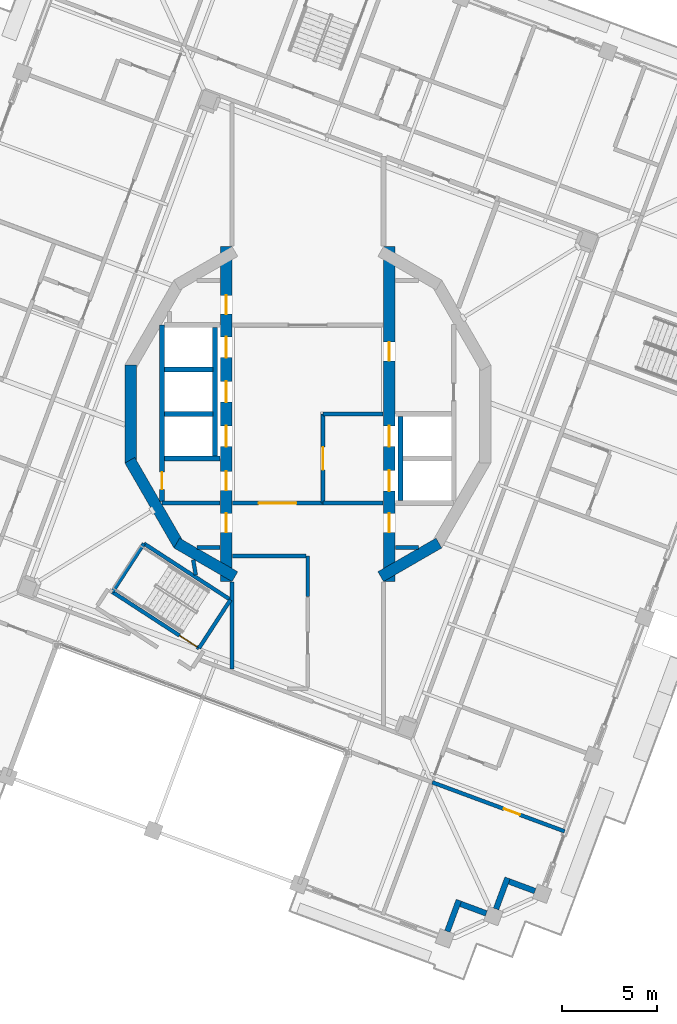
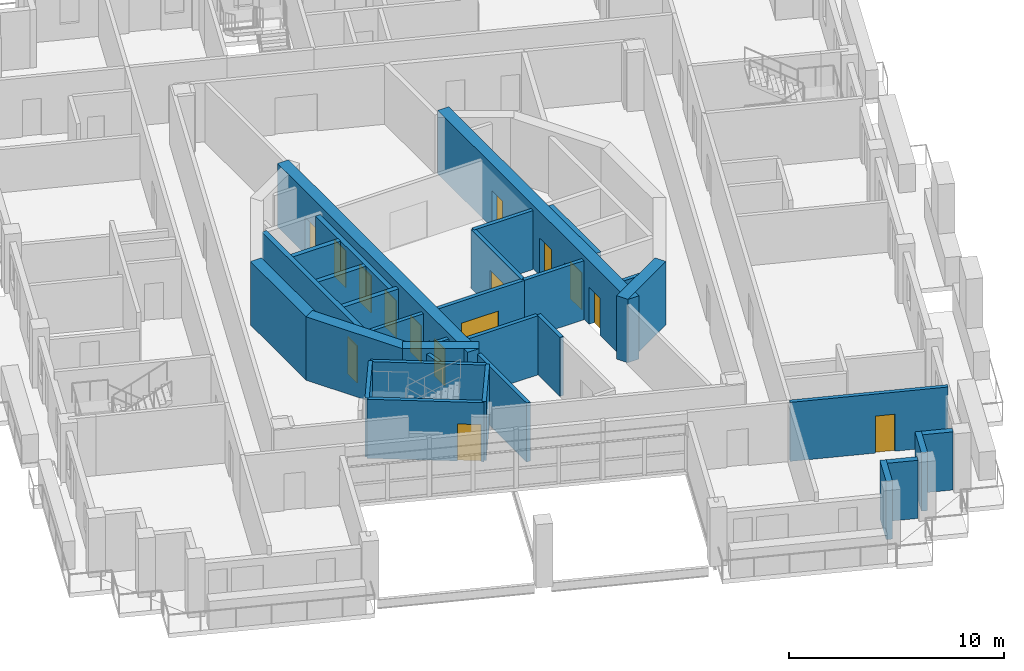
# One storey, part 7 of 19: 32 walls, 15 doors, 15 openings.
"""IFC4 building model written with IfcOpenShell, lengths in metres."""

from ifc_helpers import new_model, si_unit, direction, frame, frame_2d, origin, place, context, subcontext, project, spatial, rectangle, extrude, material, layer, layer_set, type_object, element, fill, save


model = new_model("IFC4")

# Units and contexts
model_context = context("Model", 3, precision=1e-05, world=origin(), true_north=direction((0.0, 1.0)))
body_context = subcontext(model_context, "Body", "Model", "MODEL_VIEW")
ifc_project = project(units=[si_unit("LENGTHUNIT", "METRE"), si_unit("AREAUNIT", "SQUARE_METRE"), si_unit("VOLUMEUNIT", "CUBIC_METRE"), si_unit("PLANEANGLEUNIT", "RADIAN"), si_unit("MASSUNIT", "GRAM", prefix="KILO")], contexts=[model_context])

# Site, building, storey
site_placement = place(None, origin())
site = spatial("IfcSite", under=ifc_project, at=site_placement, CompositionType="ELEMENT")
building_placement = place(site_placement, origin())
building = spatial("IfcBuilding", under=site, at=building_placement, Name="Cantera Rosa Tower", CompositionType="ELEMENT")
storey_placement = place(building_placement, frame((0.0, 0.0, 324.10009765625)))
storey = spatial("IfcBuildingStorey", under=building, at=storey_placement, Name="L72", CompositionType="ELEMENT", Elevation=324.10009765625)

# Walls
ifc_material_1 = material(Name="Gypsum board partition")
ifc_layer_1 = layer(ifc_material_1, 0.199951171875)
ifc_layer_set_1 = layer_set([ifc_layer_1], Name="CORRIDOR WALL 200 H3350")
wall_type_1 = type_object("IfcWallType", Name="CORRIDOR WALL 200 H3350", PredefinedType="PARTITIONING", material=ifc_layer_set_1)
wall_1_placement = place(storey_placement, frame((0.0, -9.62939453125, 0.0), z_axis=(0.0, 0.0, 1.0), x_axis=(0.0, 1.0, 0.0)))
element("IfcWall", 1, at=wall_1_placement, inside=storey, type_object=wall_type_1, Name="CORRIDOR WALL L72-059", PredefinedType="PARTITIONING", context=body_context, shape_type="SweptSolid", body=[
    extrude(rectangle(XDim=2.12939453125, YDim=0.199951171875, at=frame_2d((1.064697265625, 0.0))), origin(), (0.0, 0.0, 1.0), 3.349853515625),
])
wall_2_placement = place(storey_placement, frame((-0.10009765625, -7.5, 0.0), z_axis=(0.0, 0.0, 1.0), x_axis=(-1.0, 0.0, 0.0)))
element("IfcWall", 2, at=wall_2_placement, inside=storey, type_object=wall_type_1, Name="CORRIDOR WALL L72-060", PredefinedType="PARTITIONING", context=body_context, shape_type="SweptSolid", body=[
    extrude(rectangle(XDim=3.869873046875, YDim=0.199951171875, at=frame_2d((1.93505859375, 0.0))), origin(), (0.0, 0.0, 1.0), 3.349853515625),
])

# Wall, opening, door
wall_3_placement = place(storey_placement, frame((0.800048828125, -4.699951171875, 0.0), z_axis=(0.0, 0.0, 1.0), x_axis=(-1.0, 0.0, 0.0)))
wall_3 = element("IfcWall", 3, at=wall_3_placement, inside=storey, type_object=wall_type_1, Name="CORRIDOR WALL L72-062", PredefinedType="PARTITIONING", context=body_context, shape_type="SweptSolid", body=[
    extrude(rectangle(XDim=4.77001953125, YDim=0.199951171875, at=frame_2d((2.385009765625, 0.0))), origin(), (0.0, 0.0, 1.0), 3.349853515625),
])
opening_1_placement = place(wall_3_placement, frame((1.39990234375, 0.0, 0.0)))
opening_1 = element("IfcOpeningElement", 4, at=opening_1_placement, cuts=wall_3, Name="Opening L72-012", PredefinedType="OPENING", context=body_context, shape_type="SweptSolid", body=[
    extrude(rectangle(XDim=2.0, YDim=2.10009765625, at=frame_2d((1.0, 1.050048828125))), frame((0.0, 0.10986328125, 0.0), z_axis=(0.0, -1.0, 0.0), x_axis=(1.0, 0.0, 0.0)), (0.0, 0.0, 1.0), 0.219970703125),
])
ifc_material_2 = material(Name="Steel S355J2 (EN 10025-2)", Category="steel")
door_type_1 = type_object("IfcDoorType", Name="LOBBY SCREEN DOOR 2000x2100", OperationType="NOTDEFINED", PredefinedType="DOOR", material=ifc_material_2)
door_1_placement = place(opening_1_placement, origin())
door_1 = element("IfcDoor", 5, at=door_1_placement, inside=storey, type_object=door_type_1, Name="DOOR L72-012", OperationType="NOTDEFINED", OverallHeight=2.10009765625, OverallWidth=2.0, PredefinedType="DOOR", context=body_context, shape_type="SweptSolid", body=[
    extrude(rectangle(XDim=2.0, YDim=2.10009765625, at=frame_2d((1.0, 1.050048828125))), frame((0.0, 0.02490234375, 0.0), z_axis=(0.0, -1.0, 0.0), x_axis=(1.0, 0.0, 0.0)), (0.0, 0.0, 1.0), 0.050048828125),
])
fill(opening_1, door_1)

# Walls
ifc_material_3 = material(Name="Hollow clay masonry with cantera stone cladding", Category="masonry")
ifc_layer_2 = layer(ifc_material_3, 0.300048828125)
ifc_layer_set_2 = layer_set([ifc_layer_2], Name="EW-LOGGIA 300")
wall_type_2 = type_object("IfcWallType", Name="EW-LOGGIA 300", PredefinedType="SOLIDWALL", material=ifc_layer_set_2)
wall_4_placement = place(storey_placement, frame((7.36865234375, -27.312255859375, 0.0), z_axis=(0.0, 0.0, 1.0), x_axis=(0.34752790836, 0.937669639538, 0.0)))
element("IfcWall", 6, at=wall_4_placement, inside=storey, type_object=wall_type_2, Name="EN-L72-W18a", PredefinedType="SOLIDWALL", context=body_context, shape_type="SweptSolid", body=[
    extrude(rectangle(XDim=1.75, YDim=0.300048828125, at=frame_2d((0.875, 0.0))), origin(), (0.0, 0.0, 1.0), 3.2998046875),
])
wall_5_placement = place(storey_placement, frame((8.065185546875, -25.8642578125, 0.0), z_axis=(0.0, 0.0, 1.0), x_axis=(0.937671557958, -0.347522732201, 0.0)))
element("IfcWall", 7, at=wall_5_placement, inside=storey, type_object=wall_type_2, Name="EN-L72-W18b", PredefinedType="SOLIDWALL", context=body_context, shape_type="SweptSolid", body=[
    extrude(rectangle(XDim=1.449951171875, YDim=0.300048828125, at=frame_2d((0.72509765625, 0.0))), origin(), (0.0, 0.0, 1.0), 3.2998046875),
])
wall_6_placement = place(storey_placement, frame((9.93896484375, -26.132080078125, 0.0), z_axis=(0.0, 0.0, 1.0), x_axis=(0.34748245117, 0.937686486054, 0.0)))
element("IfcWall", 8, at=wall_6_placement, inside=storey, type_object=wall_type_2, Name="EN-L72-W19a", PredefinedType="SOLIDWALL", context=body_context, shape_type="SweptSolid", body=[
    extrude(rectangle(XDim=1.750244140625, YDim=0.300048828125, at=frame_2d((0.875, 0.0))), origin(), (0.0, 0.0, 1.0), 3.2998046875),
])
wall_7_placement = place(storey_placement, frame((10.635498046875, -24.683837890625, 0.0), z_axis=(0.0, 0.0, 1.0), x_axis=(0.937671557958, -0.347522732201, 0.0)))
element("IfcWall", 9, at=wall_7_placement, inside=storey, type_object=wall_type_2, Name="EN-L72-W19b", PredefinedType="SOLIDWALL", context=body_context, shape_type="SweptSolid", body=[
    extrude(rectangle(XDim=1.449951171875, YDim=0.300048828125, at=frame_2d((0.72509765625, 0.0))), origin(), (0.0, 0.0, 1.0), 3.2998046875),
])
ifc_material_4 = material(Name="Gypsum board partition")
ifc_layer_3 = layer(ifc_material_4, 0.199951171875)
ifc_layer_set_3 = layer_set([ifc_layer_3], Name="PARTITION 200 H3350")
wall_type_3 = type_object("IfcWallType", Name="PARTITION 200 H3350", PredefinedType="PARTITIONING", material=ifc_layer_set_3)
wall_8_placement = place(storey_placement, frame((-7.699951171875, -4.699951171875, 0.0), z_axis=(0.0, 0.0, 1.0), x_axis=(1.0, 0.0, 0.0)))
element("IfcWall", 10, at=wall_8_placement, inside=storey, type_object=wall_type_3, Name="PARTITION L72-031", PredefinedType="PARTITIONING", context=body_context, shape_type="SweptSolid", body=[
    extrude(rectangle(XDim=3.070068359375, YDim=0.199951171875, at=frame_2d((1.53515625, 0.0))), origin(), (0.0, 0.0, 1.0), 3.349853515625),
])
wall_9_placement = place(storey_placement, frame((-6.05078125, -7.694580078125, 0.0), z_axis=(0.0, 0.0, 1.0), x_axis=(0.164690324197, -0.986345323462, 0.0)))
element("IfcWall", 11, at=wall_9_placement, inside=storey, type_object=wall_type_3, Name="PARTITION L72-041", PredefinedType="PARTITIONING", context=body_context, shape_type="SweptSolid", body=[
    extrude(rectangle(XDim=0.8154296875, YDim=0.199951171875, at=frame_2d((0.40771484375, 0.0))), origin(), (0.0, 0.0, 1.0), 3.349853515625),
])
wall_10_placement = place(storey_placement, frame((-4.6298828125, -7.050048828125, 0.0), z_axis=(0.0, 0.0, 1.0), x_axis=(-1.0, 0.0, 0.0)))
element("IfcWall", 12, at=wall_10_placement, inside=storey, type_object=wall_type_3, Name="PARTITION L72-048", PredefinedType="PARTITIONING", context=body_context, shape_type="SweptSolid", body=[
    extrude(rectangle(XDim=1.2177734375, YDim=0.199951171875, at=frame_2d((0.60888671875, 0.0))), origin(), (0.0, 0.0, 1.0), 3.349853515625),
])
wall_11_placement = place(storey_placement, frame((-4.0, -13.468017578125, 0.0), z_axis=(0.0, 0.0, 1.0), x_axis=(0.0, 1.0, 0.0)))
element("IfcWall", 13, at=wall_11_placement, inside=storey, type_object=wall_type_3, Name="PARTITION L72-051", PredefinedType="PARTITIONING", context=body_context, shape_type="SweptSolid", body=[
    extrude(rectangle(XDim=4.589111328125, YDim=0.199951171875, at=frame_2d((2.29443359375, 0.0))), origin(), (0.0, 0.0, 1.0), 3.349853515625),
])
wall_12_placement = place(storey_placement, frame((5.84765625, -7.050048828125, 0.0), z_axis=(0.0, 0.0, 1.0), x_axis=(-1.0, 0.0, 0.0)))
element("IfcWall", 14, at=wall_12_placement, inside=storey, type_object=wall_type_3, Name="PARTITION L72-079", PredefinedType="PARTITIONING", context=body_context, shape_type="SweptSolid", body=[
    extrude(rectangle(XDim=1.2177734375, YDim=0.199951171875, at=frame_2d((0.60888671875, 0.0))), origin(), (0.0, 0.0, 1.0), 3.349853515625),
])

# Wall, opening, door
wall_13_placement = place(storey_placement, frame((6.572509765625, -19.445556640625, 0.0), z_axis=(0.0, 0.0, 1.0), x_axis=(0.93769301125, -0.347464842325, 0.0)))
wall_13 = element("IfcWall", 15, at=wall_13_placement, inside=storey, type_object=wall_type_3, Name="PARTITION L72-081", PredefinedType="PARTITIONING", context=body_context, shape_type="SweptSolid", body=[
    extrude(rectangle(XDim=7.449951171875, YDim=0.199951171875, at=frame_2d((3.72509765625, 0.0))), origin(), (0.0, 0.0, 1.0), 3.349853515625),
])
opening_2_placement = place(wall_13_placement, frame((4.030029296875, 0.0, 0.0)))
opening_2 = element("IfcOpeningElement", 16, at=opening_2_placement, cuts=wall_13, Name="Opening L72-045", PredefinedType="OPENING", context=body_context, shape_type="SweptSolid", body=[
    extrude(rectangle(XDim=0.89990234375, YDim=2.10009765625, at=frame_2d((0.449951171875, 1.050048828125))), frame((0.0, 0.10986328125, 0.0), z_axis=(0.0, -1.0, 0.0), x_axis=(1.0, 0.0, 0.0)), (0.0, 0.0, 1.0), 0.219970703125),
])
ifc_material_5 = material(Name="Timber door leaf", Category="wood")
door_type_2 = type_object("IfcDoorType", Name="ROOM DOOR 900x2100", OperationType="NOTDEFINED", PredefinedType="DOOR", material=ifc_material_5)
door_2_placement = place(opening_2_placement, origin())
door_2 = element("IfcDoor", 17, at=door_2_placement, inside=storey, type_object=door_type_2, Name="DOOR L72-045", OperationType="NOTDEFINED", OverallHeight=2.10009765625, OverallWidth=0.89990234375, PredefinedType="DOOR", context=body_context, shape_type="SweptSolid", body=[
    extrude(rectangle(XDim=0.89990234375, YDim=2.10009765625, at=frame_2d((0.449951171875, 1.050048828125))), frame((0.0, 0.02490234375, 0.0), z_axis=(0.0, -1.0, 0.0), x_axis=(1.0, 0.0, 0.0)), (0.0, 0.0, 1.0), 0.050048828125),
])
fill(opening_2, door_2)

# Walls
ifc_material_6 = material(Name="Concrete C50/60", Category="concrete")
ifc_layer_4 = layer(ifc_material_6, 0.60009765625)
ifc_layer_set_4 = layer_set([ifc_layer_4], Name="RC CORE WALL 600 C50/60")
wall_type_4 = type_object("IfcWallType", Name="RC CORE WALL 600 C50/60", PredefinedType="SHEAR", material=ifc_layer_set_4)
wall_14_placement = place(storey_placement, frame((-3.85009765625, -8.584228515625, 0.0), z_axis=(0.0, 0.0, 1.0), x_axis=(-0.866039982607, 0.499974747889, 0.0)))
element("IfcWall", 18, at=wall_14_placement, inside=storey, type_object=wall_type_4, Name="CW-W1 L72", PredefinedType="SHEAR", context=body_context, shape_type="SweptSolid", body=[
    extrude(rectangle(XDim=3.546142578125, YDim=0.60009765625, at=frame_2d((1.77294921875, 0.0))), origin(), (0.0, 0.0, 1.0), 3.599853515625),
])
for number, where, z_axis, x_axis, name in (
    (19, (-6.811279296875, -6.921142578125, 0.0), (0.0, 0.0, 1.0), (-0.499989188378, 0.866031645787, 0.0), "CW-W2 L72"),
    (20, (-9.359375, -2.588134765625, 0.0), (0.0, 0.0, 1.0), (0.0, 1.0, 0.0), "CW-W3 L72"),
):
    element("IfcWall", number, at=place(storey_placement, frame(where, z_axis=z_axis, x_axis=x_axis)), inside=storey, type_object=wall_type_4, Name=name, PredefinedType="SHEAR", context=body_context, shape_type="SweptSolid", body=[
        extrude(rectangle(XDim=5.17626953125, YDim=0.60009765625, at=frame_2d((2.588134765625, 0.0))), origin(), (0.0, 0.0, 1.0), 3.599853515625),
    ])

# Wall, openings, doors
wall_15_placement = place(storey_placement, frame((-4.300048828125, 8.84423828125, 0.0), z_axis=(0.0, 0.0, 1.0), x_axis=(0.0, -1.0, 0.0)))
wall_15 = element("IfcWall", 21, at=wall_15_placement, inside=storey, type_object=wall_type_4, Name="CW-W6 L72", PredefinedType="SHEAR", context=body_context, shape_type="SweptSolid", body=[
    extrude(rectangle(XDim=17.6884765625, YDim=0.60009765625, at=frame_2d((8.84423828125, 0.0))), origin(), (0.0, 0.0, 1.0), 3.599853515625),
])
opening_3_placement = place(wall_15_placement, frame((9.468994140625, 0.0, 0.0)))
opening_3 = element("IfcOpeningElement", 22, at=opening_3_placement, cuts=wall_15, Name="Opening LD-H1-L72", PredefinedType="OPENING", context=body_context, shape_type="SweptSolid", body=[
    extrude(rectangle(XDim=1.10009765625, YDim=2.10009765625, at=frame_2d((0.550048828125, 1.050048828125))), frame((0.0, 0.31005859375, 0.0), z_axis=(0.0, -1.0, 0.0), x_axis=(1.0, 0.0, 0.0)), (0.0, 0.0, 1.0), 0.6201171875),
])
opening_4_placement = place(wall_15_placement, frame((7.119140625, 0.0, 0.0)))
opening_4 = element("IfcOpeningElement", 23, at=opening_4_placement, cuts=wall_15, Name="Opening LD-H2-L72", PredefinedType="OPENING", context=body_context, shape_type="SweptSolid", body=[
    extrude(rectangle(XDim=1.10009765625, YDim=2.10009765625, at=frame_2d((0.550048828125, 1.050048828125))), frame((0.0, 0.31005859375, 0.0), z_axis=(0.0, -1.0, 0.0), x_axis=(1.0, 0.0, 0.0)), (0.0, 0.0, 1.0), 0.6201171875),
])
opening_5_placement = place(wall_15_placement, frame((4.76904296875, 0.0, 0.0)))
opening_5 = element("IfcOpeningElement", 24, at=opening_5_placement, cuts=wall_15, Name="Opening LD-H3-L72", PredefinedType="OPENING", context=body_context, shape_type="SweptSolid", body=[
    extrude(rectangle(XDim=1.10009765625, YDim=2.10009765625, at=frame_2d((0.550048828125, 1.050048828125))), frame((0.0, 0.31005859375, 0.0), z_axis=(0.0, -1.0, 0.0), x_axis=(1.0, 0.0, 0.0)), (0.0, 0.0, 1.0), 0.6201171875),
])
opening_6_placement = place(wall_15_placement, frame((14.091552734375, 0.0, 0.0)))
opening_6 = element("IfcOpeningElement", 25, at=opening_6_placement, cuts=wall_15, Name="Opening SD-L72-15", PredefinedType="OPENING", context=body_context, shape_type="SweptSolid", body=[
    extrude(rectangle(XDim=1.0, YDim=2.10009765625, at=frame_2d((0.5, 1.050048828125))), frame((0.0, 0.31005859375, 0.0), z_axis=(0.0, -1.0, 0.0), x_axis=(1.0, 0.0, 0.0)), (0.0, 0.0, 1.0), 0.6201171875),
])
opening_7_placement = place(wall_15_placement, frame((2.572265625, 0.0, 0.0)))
opening_7 = element("IfcOpeningElement", 26, at=opening_7_placement, cuts=wall_15, Name="Opening SD-L72-16", PredefinedType="OPENING", context=body_context, shape_type="SweptSolid", body=[
    extrude(rectangle(XDim=1.0, YDim=2.10009765625, at=frame_2d((0.5, 1.050048828125))), frame((0.0, 0.31005859375, 0.0), z_axis=(0.0, -1.0, 0.0), x_axis=(1.0, 0.0, 0.0)), (0.0, 0.0, 1.0), 0.6201171875),
])
opening_8_placement = place(wall_15_placement, frame((11.869140625, 0.0, 0.0)))
opening_8 = element("IfcOpeningElement", 27, at=opening_8_placement, cuts=wall_15, Name="Opening SD-L72-17", PredefinedType="OPENING", context=body_context, shape_type="SweptSolid", body=[
    extrude(rectangle(XDim=1.0, YDim=2.10009765625, at=frame_2d((0.5, 1.050048828125))), frame((0.0, 0.31005859375, 0.0), z_axis=(0.0, -1.0, 0.0), x_axis=(1.0, 0.0, 0.0)), (0.0, 0.0, 1.0), 0.6201171875),
])
ifc_material_7 = material(Name="Steel S355J2 (EN 10025-2)", Category="steel")
door_type_3 = type_object("IfcDoorType", Name="LANDING DOOR 1100x2100", OperationType="NOTDEFINED", PredefinedType="DOOR", material=ifc_material_7)
door_3_placement = place(opening_3_placement, origin())
door_3 = element("IfcDoor", 28, at=door_3_placement, inside=storey, type_object=door_type_3, Name="LANDING DOOR H1 L72", OperationType="SLIDING_TO_LEFT", OverallHeight=2.10009765625, OverallWidth=1.10009765625, PredefinedType="DOOR", context=body_context, shape_type="SweptSolid", body=[
    extrude(rectangle(XDim=1.10009765625, YDim=2.10009765625, at=frame_2d((0.550048828125, 1.050048828125))), frame((0.0, 0.02490234375, 0.0), z_axis=(0.0, -1.0, 0.0), x_axis=(1.0, 0.0, 0.0)), (0.0, 0.0, 1.0), 0.050048828125),
])
fill(opening_3, door_3)
door_4_placement = place(opening_4_placement, origin())
door_4 = element("IfcDoor", 29, at=door_4_placement, inside=storey, type_object=door_type_3, Name="LANDING DOOR H2 L72", OperationType="SLIDING_TO_LEFT", OverallHeight=2.10009765625, OverallWidth=1.10009765625, PredefinedType="DOOR", context=body_context, shape_type="SweptSolid", body=[
    extrude(rectangle(XDim=1.10009765625, YDim=2.10009765625, at=frame_2d((0.550048828125, 1.050048828125))), frame((0.0, 0.02490234375, 0.0), z_axis=(0.0, -1.0, 0.0), x_axis=(1.0, 0.0, 0.0)), (0.0, 0.0, 1.0), 0.050048828125),
])
fill(opening_4, door_4)
door_5_placement = place(opening_5_placement, origin())
door_5 = element("IfcDoor", 30, at=door_5_placement, inside=storey, type_object=door_type_3, Name="LANDING DOOR H3 L72", OperationType="SLIDING_TO_LEFT", OverallHeight=2.10009765625, OverallWidth=1.10009765625, PredefinedType="DOOR", context=body_context, shape_type="SweptSolid", body=[
    extrude(rectangle(XDim=1.10009765625, YDim=2.10009765625, at=frame_2d((0.550048828125, 1.050048828125))), frame((0.0, 0.02490234375, 0.0), z_axis=(0.0, -1.0, 0.0), x_axis=(1.0, 0.0, 0.0)), (0.0, 0.0, 1.0), 0.050048828125),
])
fill(opening_5, door_5)
ifc_material_8 = material(Name="Timber door leaf", Category="wood")
door_type_4 = type_object("IfcDoorType", Name="SERVICE DOOR 1000x2100", OperationType="NOTDEFINED", PredefinedType="DOOR", material=ifc_material_8)
door_6_placement = place(opening_6_placement, origin())
door_6 = element("IfcDoor", 31, at=door_6_placement, inside=storey, type_object=door_type_4, Name="DOOR L72-SD15", OperationType="NOTDEFINED", OverallHeight=2.10009765625, OverallWidth=1.0, PredefinedType="DOOR", context=body_context, shape_type="SweptSolid", body=[
    extrude(rectangle(XDim=1.0, YDim=2.10009765625, at=frame_2d((0.5, 1.050048828125))), frame((0.0, 0.02490234375, 0.0), z_axis=(0.0, -1.0, 0.0), x_axis=(1.0, 0.0, 0.0)), (0.0, 0.0, 1.0), 0.050048828125),
])
fill(opening_6, door_6)
door_7_placement = place(opening_7_placement, origin())
door_7 = element("IfcDoor", 32, at=door_7_placement, inside=storey, type_object=door_type_4, Name="DOOR L72-SD16", OperationType="NOTDEFINED", OverallHeight=2.10009765625, OverallWidth=1.0, PredefinedType="DOOR", context=body_context, shape_type="SweptSolid", body=[
    extrude(rectangle(XDim=1.0, YDim=2.10009765625, at=frame_2d((0.5, 1.050048828125))), frame((0.0, 0.02490234375, 0.0), z_axis=(0.0, -1.0, 0.0), x_axis=(1.0, 0.0, 0.0)), (0.0, 0.0, 1.0), 0.050048828125),
])
fill(opening_7, door_7)
door_8_placement = place(opening_8_placement, origin())
door_8 = element("IfcDoor", 33, at=door_8_placement, inside=storey, type_object=door_type_4, Name="DOOR L72-SD17", OperationType="NOTDEFINED", OverallHeight=2.10009765625, OverallWidth=1.0, PredefinedType="DOOR", context=body_context, shape_type="SweptSolid", body=[
    extrude(rectangle(XDim=1.0, YDim=2.10009765625, at=frame_2d((0.5, 1.050048828125))), frame((0.0, 0.02490234375, 0.0), z_axis=(0.0, -1.0, 0.0), x_axis=(1.0, 0.0, 0.0)), (0.0, 0.0, 1.0), 0.050048828125),
])
fill(opening_8, door_8)

# Wall
wall_16_placement = place(storey_placement, frame((6.921142578125, -6.811279296875, 0.0), z_axis=(0.0, 0.0, 1.0), x_axis=(-0.866039982607, -0.499974747889, 0.0)))
element("IfcWall", 34, at=wall_16_placement, inside=storey, type_object=wall_type_4, Name="CW-E5 L72", PredefinedType="SHEAR", context=body_context, shape_type="SweptSolid", body=[
    extrude(rectangle(XDim=3.546142578125, YDim=0.60009765625, at=frame_2d((1.77294921875, 0.0))), origin(), (0.0, 0.0, 1.0), 3.599853515625),
])

# Wall, openings, doors
wall_17_placement = place(storey_placement, frame((4.300048828125, -8.84423828125, 0.0), z_axis=(0.0, 0.0, 1.0), x_axis=(0.0, 1.0, 0.0)))
wall_17 = element("IfcWall", 35, at=wall_17_placement, inside=storey, type_object=wall_type_4, Name="CW-E6 L72", PredefinedType="SHEAR", context=body_context, shape_type="SweptSolid", body=[
    extrude(rectangle(XDim=17.6884765625, YDim=0.60009765625, at=frame_2d((8.84423828125, 0.0))), origin(), (0.0, 0.0, 1.0), 3.599853515625),
])
opening_9_placement = place(wall_17_placement, frame((4.76904296875, 0.0, 0.0)))
opening_9 = element("IfcOpeningElement", 36, at=opening_9_placement, cuts=wall_17, Name="Opening LD-FF1-L72", PredefinedType="OPENING", context=body_context, shape_type="SweptSolid", body=[
    extrude(rectangle(XDim=1.10009765625, YDim=2.10009765625, at=frame_2d((0.550048828125, 1.050048828125))), frame((0.0, 0.31005859375, 0.0), z_axis=(0.0, -1.0, 0.0), x_axis=(1.0, 0.0, 0.0)), (0.0, 0.0, 1.0), 0.6201171875),
])
opening_10_placement = place(wall_17_placement, frame((7.119140625, 0.0, 0.0)))
opening_10 = element("IfcOpeningElement", 37, at=opening_10_placement, cuts=wall_17, Name="Opening LD-FF2-L72", PredefinedType="OPENING", context=body_context, shape_type="SweptSolid", body=[
    extrude(rectangle(XDim=1.10009765625, YDim=2.10009765625, at=frame_2d((0.550048828125, 1.050048828125))), frame((0.0, 0.31005859375, 0.0), z_axis=(0.0, -1.0, 0.0), x_axis=(1.0, 0.0, 0.0)), (0.0, 0.0, 1.0), 0.6201171875),
])
opening_11_placement = place(wall_17_placement, frame((2.5966796875, 0.0, 0.0)))
opening_11 = element("IfcOpeningElement", 38, at=opening_11_placement, cuts=wall_17, Name="Opening SD-L72-18", PredefinedType="OPENING", context=body_context, shape_type="SweptSolid", body=[
    extrude(rectangle(XDim=1.0, YDim=2.10009765625, at=frame_2d((0.5, 1.050048828125))), frame((0.0, 0.31005859375, 0.0), z_axis=(0.0, -1.0, 0.0), x_axis=(1.0, 0.0, 0.0)), (0.0, 0.0, 1.0), 0.6201171875),
])
opening_12_placement = place(wall_17_placement, frame((11.6494140625, 0.0, 0.0)))
opening_12 = element("IfcOpeningElement", 39, at=opening_12_placement, cuts=wall_17, Name="Opening SD-L72-19", PredefinedType="OPENING", context=body_context, shape_type="SweptSolid", body=[
    extrude(rectangle(XDim=1.0, YDim=2.10009765625, at=frame_2d((0.5, 1.050048828125))), frame((0.0, 0.31005859375, 0.0), z_axis=(0.0, -1.0, 0.0), x_axis=(1.0, 0.0, 0.0)), (0.0, 0.0, 1.0), 0.6201171875),
])
door_9_placement = place(opening_9_placement, origin())
door_9 = element("IfcDoor", 40, at=door_9_placement, inside=storey, type_object=door_type_3, Name="LANDING DOOR FF1 L72", OperationType="SLIDING_TO_LEFT", OverallHeight=2.10009765625, OverallWidth=1.10009765625, PredefinedType="DOOR", context=body_context, shape_type="SweptSolid", body=[
    extrude(rectangle(XDim=1.10009765625, YDim=2.10009765625, at=frame_2d((0.550048828125, 1.050048828125))), frame((0.0, 0.02490234375, 0.0), z_axis=(0.0, -1.0, 0.0), x_axis=(1.0, 0.0, 0.0)), (0.0, 0.0, 1.0), 0.050048828125),
])
fill(opening_9, door_9)
door_10_placement = place(opening_10_placement, origin())
door_10 = element("IfcDoor", 41, at=door_10_placement, inside=storey, type_object=door_type_3, Name="LANDING DOOR FF2 L72", OperationType="SLIDING_TO_LEFT", OverallHeight=2.10009765625, OverallWidth=1.10009765625, PredefinedType="DOOR", context=body_context, shape_type="SweptSolid", body=[
    extrude(rectangle(XDim=1.10009765625, YDim=2.10009765625, at=frame_2d((0.550048828125, 1.050048828125))), frame((0.0, 0.02490234375, 0.0), z_axis=(0.0, -1.0, 0.0), x_axis=(1.0, 0.0, 0.0)), (0.0, 0.0, 1.0), 0.050048828125),
])
fill(opening_10, door_10)
door_11_placement = place(opening_11_placement, origin())
door_11 = element("IfcDoor", 42, at=door_11_placement, inside=storey, type_object=door_type_4, Name="DOOR L72-SD18", OperationType="NOTDEFINED", OverallHeight=2.10009765625, OverallWidth=1.0, PredefinedType="DOOR", context=body_context, shape_type="SweptSolid", body=[
    extrude(rectangle(XDim=1.0, YDim=2.10009765625, at=frame_2d((0.5, 1.050048828125))), frame((0.0, 0.02490234375, 0.0), z_axis=(0.0, -1.0, 0.0), x_axis=(1.0, 0.0, 0.0)), (0.0, 0.0, 1.0), 0.050048828125),
])
fill(opening_11, door_11)
door_12_placement = place(opening_12_placement, origin())
door_12 = element("IfcDoor", 43, at=door_12_placement, inside=storey, type_object=door_type_4, Name="DOOR L72-SD19", OperationType="NOTDEFINED", OverallHeight=2.10009765625, OverallWidth=1.0, PredefinedType="DOOR", context=body_context, shape_type="SweptSolid", body=[
    extrude(rectangle(XDim=1.0, YDim=2.10009765625, at=frame_2d((0.5, 1.050048828125))), frame((0.0, 0.02490234375, 0.0), z_axis=(0.0, -1.0, 0.0), x_axis=(1.0, 0.0, 0.0)), (0.0, 0.0, 1.0), 0.050048828125),
])
fill(opening_12, door_12)

# Walls
ifc_material_9 = material(Name="Masonry blockwork", Category="masonry")
ifc_layer_5 = layer(ifc_material_9, 0.25)
ifc_layer_set_5 = layer_set([ifc_layer_5], Name="SHAFT WALL 250 H3350")
wall_type_5 = type_object("IfcWallType", Name="SHAFT WALL 250 H3350", PredefinedType="SOLIDWALL", material=ifc_layer_set_5)
for number, where, z_axis, x_axis, name in (
    (44, (-7.574951171875, 0.0, 0.0), (0.0, 0.0, 1.0), (1.0, 0.0, 0.0), "SHAFT WALL L72-032"),
    (45, (-7.574951171875, 2.35009765625, 0.0), (0.0, 0.0, 1.0), (1.0, 0.0, 0.0), "SHAFT WALL L72-033"),
):
    element("IfcWall", number, at=place(storey_placement, frame(where, z_axis=z_axis, x_axis=x_axis)), inside=storey, type_object=wall_type_5, Name=name, PredefinedType="SOLIDWALL", context=body_context, shape_type="SweptSolid", body=[
        extrude(rectangle(XDim=2.554931640625, YDim=0.25, at=frame_2d((1.27734375, 0.0))), origin(), (0.0, 0.0, 1.0), 3.349853515625),
    ])

# Wall, opening, door
wall_18_placement = place(storey_placement, frame((-7.699951171875, 4.699951171875, 0.0), z_axis=(0.0, 0.0, 1.0), x_axis=(0.0, -1.0, 0.0)))
wall_18 = element("IfcWall", 46, at=wall_18_placement, inside=storey, type_object=wall_type_5, Name="SHAFT WALL L72-034", PredefinedType="SOLIDWALL", context=body_context, shape_type="SweptSolid", body=[
    extrude(rectangle(XDim=9.320068359375, YDim=0.25, at=frame_2d((4.66015625, 0.0))), origin(), (0.0, 0.0, 1.0), 3.349853515625),
])
opening_13_placement = place(wall_18_placement, frame((7.7705078125, 0.0, 0.0)))
opening_13 = element("IfcOpeningElement", 47, at=opening_13_placement, cuts=wall_18, Name="Opening L72-048", PredefinedType="OPENING", context=body_context, shape_type="SweptSolid", body=[
    extrude(rectangle(XDim=0.89990234375, YDim=2.10009765625, at=frame_2d((0.449951171875, 1.050048828125))), frame((0.0, 0.135009765625, 0.0), z_axis=(0.0, -1.0, 0.0), x_axis=(1.0, 0.0, 0.0)), (0.0, 0.0, 1.0), 0.27001953125),
])
ifc_material_10 = material(Name="Timber door leaf", Category="wood")
door_type_5 = type_object("IfcDoorType", Name="SERVICE DOOR 900x2100", OperationType="NOTDEFINED", PredefinedType="DOOR", material=ifc_material_10)
door_13_placement = place(opening_13_placement, origin())
door_13 = element("IfcDoor", 48, at=door_13_placement, inside=storey, type_object=door_type_5, Name="RISER DOOR L72-048", OperationType="NOTDEFINED", OverallHeight=2.10009765625, OverallWidth=0.89990234375, PredefinedType="DOOR", context=body_context, shape_type="SweptSolid", body=[
    extrude(rectangle(XDim=0.89990234375, YDim=2.10009765625, at=frame_2d((0.449951171875, 1.050048828125))), frame((0.0, 0.02490234375, 0.0), z_axis=(0.0, -1.0, 0.0), x_axis=(1.0, 0.0, 0.0)), (0.0, 0.0, 1.0), 0.050048828125),
])
fill(opening_13, door_13)

# Walls
wall_19_placement = place(storey_placement, frame((-4.89990234375, -2.22509765625, 0.0), z_axis=(0.0, 0.0, 1.0), x_axis=(0.0, 1.0, 0.0)))
element("IfcWall", 49, at=wall_19_placement, inside=storey, type_object=wall_type_5, Name="SHAFT WALL L72-047", PredefinedType="SOLIDWALL", context=body_context, shape_type="SweptSolid", body=[
    extrude(rectangle(XDim=6.800048828125, YDim=0.25, at=frame_2d((3.39990234375, 0.0))), origin(), (0.0, 0.0, 1.0), 3.349853515625),
])
wall_20_placement = place(storey_placement, frame((-4.6298828125, -2.35009765625, 0.0), z_axis=(0.0, 0.0, 1.0), x_axis=(-1.0, 0.0, 0.0)))
element("IfcWall", 50, at=wall_20_placement, inside=storey, type_object=wall_type_5, Name="SHAFT WALL L72-049", PredefinedType="SOLIDWALL", context=body_context, shape_type="SweptSolid", body=[
    extrude(rectangle(XDim=2.945068359375, YDim=0.25, at=frame_2d((1.47265625, 0.0))), origin(), (0.0, 0.0, 1.0), 3.349853515625),
])
wall_21_placement = place(storey_placement, frame((4.89990234375, -0.125, 0.0), z_axis=(0.0, 0.0, 1.0), x_axis=(0.0, -1.0, 0.0)))
element("IfcWall", 51, at=wall_21_placement, inside=storey, type_object=wall_type_5, Name="SHAFT WALL L72-075", PredefinedType="SOLIDWALL", context=body_context, shape_type="SweptSolid", body=[
    extrude(rectangle(XDim=4.449951171875, YDim=0.25, at=frame_2d((2.22509765625, 0.0))), origin(), (0.0, 0.0, 1.0), 3.349853515625),
])

# Wall, opening, door
ifc_material_11 = material(Name="Concrete C50/60", Category="concrete")
ifc_layer_6 = layer(ifc_material_11, 0.199951171875)
ifc_layer_set_6 = layer_set([ifc_layer_6], Name="STAIR WALL 200 H3350")
wall_type_6 = type_object("IfcWallType", Name="STAIR WALL 200 H3350", PredefinedType="SOLIDWALL", material=ifc_layer_set_6)
wall_22_placement = place(storey_placement, frame((-10.31591796875, -9.394775390625, 0.0), z_axis=(0.0, 0.0, 1.0), x_axis=(0.838674843592, -0.544632451041, 0.0)))
wall_22 = element("IfcWall", 52, at=wall_22_placement, inside=storey, type_object=wall_type_6, Name="STAIR WALL L72-027", PredefinedType="SOLIDWALL", context=body_context, shape_type="SweptSolid", body=[
    extrude(rectangle(XDim=5.449951171875, YDim=0.199951171875, at=frame_2d((2.72509765625, 0.0))), origin(), (0.0, 0.0, 1.0), 3.349853515625),
])
opening_14_placement = place(wall_22_placement, frame((4.219970703125, 0.0, 0.0)))
opening_14 = element("IfcOpeningElement", 53, at=opening_14_placement, cuts=wall_22, Name="Opening L72-004", PredefinedType="OPENING", context=body_context, shape_type="SweptSolid", body=[
    extrude(rectangle(XDim=1.10009765625, YDim=2.10009765625, at=frame_2d((0.550048828125, 1.050048828125))), frame((0.0, 0.10986328125, 0.0), z_axis=(0.0, -1.0, 0.0), x_axis=(1.0, 0.0, 0.0)), (0.0, 0.0, 1.0), 0.219970703125),
])
ifc_material_12 = material(Name="Steel S355J2 (EN 10025-2)", Category="steel")
door_type_6 = type_object("IfcDoorType", Name="STAIR DOOR 1100x2100", OperationType="NOTDEFINED", PredefinedType="DOOR", material=ifc_material_12)
door_14_placement = place(opening_14_placement, origin())
door_14 = element("IfcDoor", 54, at=door_14_placement, inside=storey, type_object=door_type_6, Name="DOOR L72-004", OperationType="NOTDEFINED", OverallHeight=2.10009765625, OverallWidth=1.10009765625, PredefinedType="DOOR", context=body_context, shape_type="SweptSolid", body=[
    extrude(rectangle(XDim=1.10009765625, YDim=2.10009765625, at=frame_2d((0.550048828125, 1.050048828125))), frame((0.0, 0.02490234375, 0.0), z_axis=(0.0, -1.0, 0.0), x_axis=(1.0, 0.0, 0.0)), (0.0, 0.0, 1.0), 0.050048828125),
])
fill(opening_14, door_14)

# Walls
wall_23_placement = place(storey_placement, frame((-8.65478515625, -6.8369140625, 0.0), z_axis=(0.0, 0.0, 1.0), x_axis=(-0.544647854685, -0.838664840319, 0.0)))
element("IfcWall", 55, at=wall_23_placement, inside=storey, type_object=wall_type_6, Name="STAIR WALL L72-029", PredefinedType="SOLIDWALL", context=body_context, shape_type="SweptSolid", body=[
    extrude(rectangle(XDim=3.0498046875, YDim=0.199951171875, at=frame_2d((1.52490234375, 0.0))), origin(), (0.0, 0.0, 1.0), 3.349853515625),
])
wall_24_placement = place(storey_placement, frame((-8.65478515625, -6.8369140625, 0.0), z_axis=(0.0, 0.0, 1.0), x_axis=(0.838674843592, -0.544632451041, 0.0)))
element("IfcWall", 56, at=wall_24_placement, inside=storey, type_object=wall_type_6, Name="STAIR WALL L72-030", PredefinedType="SOLIDWALL", context=body_context, shape_type="SweptSolid", body=[
    extrude(rectangle(XDim=5.449951171875, YDim=0.199951171875, at=frame_2d((2.72509765625, 0.0))), origin(), (0.0, 0.0, 1.0), 3.349853515625),
])
wall_25_placement = place(storey_placement, frame((-4.083984375, -9.80517578125, 0.0), z_axis=(0.0, 0.0, 1.0), x_axis=(-0.544647854685, -0.838664840319, 0.0)))
element("IfcWall", 57, at=wall_25_placement, inside=storey, type_object=wall_type_6, Name="STAIR WALL L72-050", PredefinedType="SOLIDWALL", context=body_context, shape_type="SweptSolid", body=[
    extrude(rectangle(XDim=3.0498046875, YDim=0.199951171875, at=frame_2d((1.52490234375, 0.0))), origin(), (0.0, 0.0, 1.0), 3.349853515625),
])

# Wall, opening, door
wall_26_placement = place(storey_placement, frame((0.800048828125, -4.699951171875, 0.0), z_axis=(0.0, 0.0, 1.0), x_axis=(0.0, 1.0, 0.0)))
wall_26 = element("IfcWall", 58, at=wall_26_placement, inside=storey, type_object=wall_type_6, Name="STAIR WALL L72-063", PredefinedType="SOLIDWALL", context=body_context, shape_type="SweptSolid", body=[
    extrude(rectangle(XDim=4.699951171875, YDim=0.199951171875, at=frame_2d((2.35009765625, 0.0))), origin(), (0.0, 0.0, 1.0), 3.349853515625),
])
opening_15_placement = place(wall_26_placement, frame((1.75, 0.0, 0.0)))
opening_15 = element("IfcOpeningElement", 59, at=opening_15_placement, cuts=wall_26, Name="Opening L72-013", PredefinedType="OPENING", context=body_context, shape_type="SweptSolid", body=[
    extrude(rectangle(XDim=1.199951171875, YDim=2.10009765625, at=frame_2d((0.60009765625, 1.050048828125))), frame((0.0, 0.10986328125, 0.0), z_axis=(0.0, -1.0, 0.0), x_axis=(1.0, 0.0, 0.0)), (0.0, 0.0, 1.0), 0.219970703125),
])
ifc_material_13 = material(Name="Steel S355J2 (EN 10025-2)", Category="steel")
door_type_7 = type_object("IfcDoorType", Name="FIRE DOOR 1200x2100", OperationType="NOTDEFINED", PredefinedType="DOOR", material=ifc_material_13)
door_15_placement = place(opening_15_placement, origin())
door_15 = element("IfcDoor", 60, at=door_15_placement, inside=storey, type_object=door_type_7, Name="DOOR L72-013", OperationType="NOTDEFINED", OverallHeight=2.10009765625, OverallWidth=1.199951171875, PredefinedType="DOOR", context=body_context, shape_type="SweptSolid", body=[
    extrude(rectangle(XDim=1.199951171875, YDim=2.10009765625, at=frame_2d((0.60009765625, 1.050048828125))), frame((0.0, 0.02490234375, 0.0), z_axis=(0.0, -1.0, 0.0), x_axis=(1.0, 0.0, 0.0)), (0.0, 0.0, 1.0), 0.050048828125),
])
fill(opening_15, door_15)

# Walls
for number, where, z_axis, x_axis, name in (
    (61, (0.800048828125, 0.0, 0.0), (0.0, 0.0, 1.0), (1.0, 0.0, 0.0), "STAIR WALL L72-064"),
    (62, (3.969970703125, -4.699951171875, 0.0), (0.0, 0.0, 1.0), (-1.0, 0.0, 0.0), "STAIR WALL L72-068"),
):
    element("IfcWall", number, at=place(storey_placement, frame(where, z_axis=z_axis, x_axis=x_axis)), inside=storey, type_object=wall_type_6, Name=name, PredefinedType="SOLIDWALL", context=body_context, shape_type="SweptSolid", body=[
        extrude(rectangle(XDim=3.169921875, YDim=0.199951171875, at=frame_2d((1.5849609375, 0.0))), origin(), (0.0, 0.0, 1.0), 3.349853515625),
    ])

save(model, "model.ifc")
